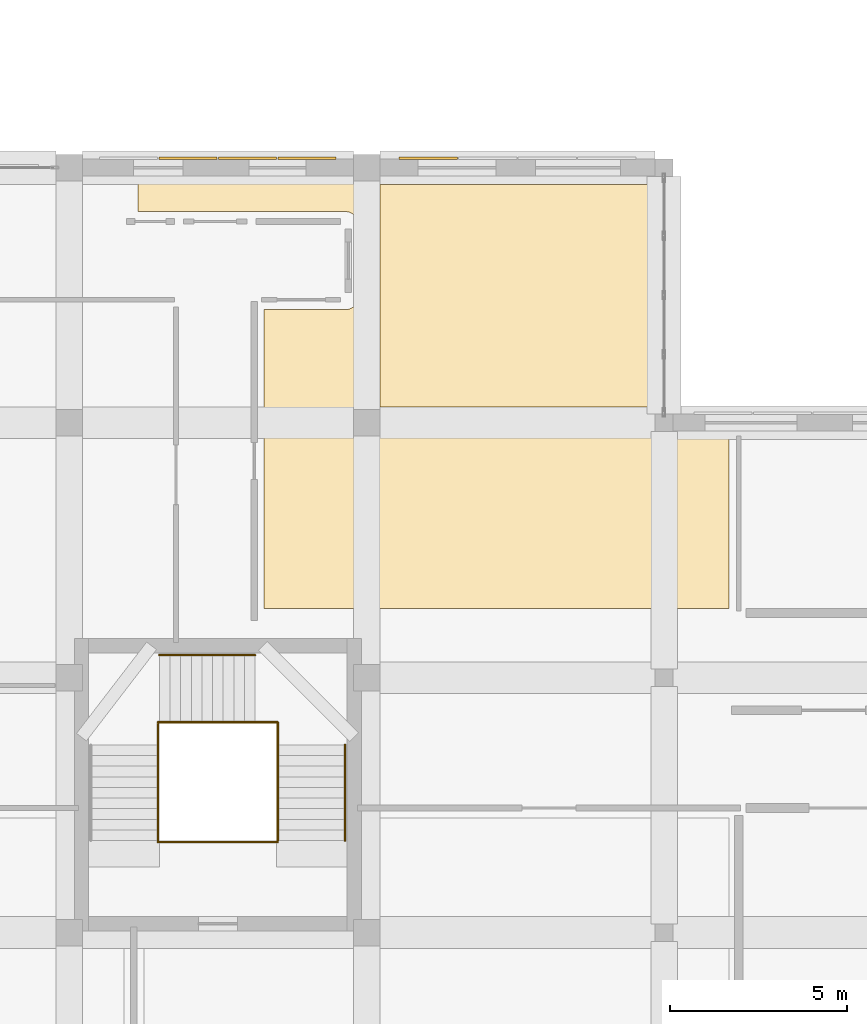
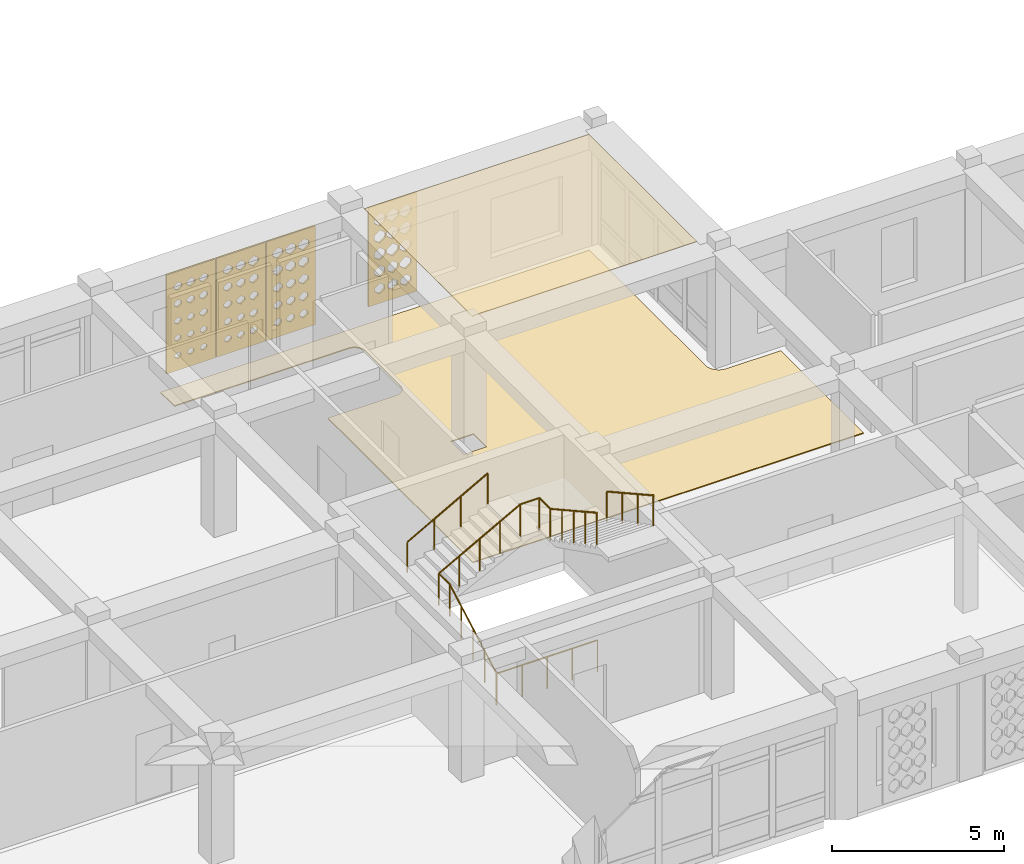
# One storey, part 117 of 121: 6 coverings, 6 railings.
"""IFC4 building model written with IfcOpenShell, lengths in metres."""

from ifc_helpers import new_model, si_unit, derived_unit, direction, frame, origin, origin_2d, place, context, subcontext, project, spatial, polyline, circle, outline, extrude, material, layer, layer_set, type_object, element, save


model = new_model("IFC4")

# Units and contexts
model_context = context("Model", 3, precision=1e-05, world=origin(), true_north=direction((0.0, 1.0)))
body_context = subcontext(model_context, "Body", "Model", "MODEL_VIEW")
ifc_project = project(units=[si_unit("LENGTHUNIT", "METRE"), si_unit("AREAUNIT", "SQUARE_METRE"), si_unit("VOLUMEUNIT", "CUBIC_METRE"), si_unit("PLANEANGLEUNIT", "RADIAN"), si_unit("MASSUNIT", "GRAM", prefix="KILO"), derived_unit("THERMALTRANSMITTANCEUNIT", [(si_unit("POWERUNIT", "WATT"), 1), (si_unit("LENGTHUNIT", "METRE"), -2), (si_unit("THERMODYNAMICTEMPERATUREUNIT", "KELVIN"), -1)])], contexts=[model_context])

# Site, building, storey
site_placement = place(None, origin())
site = spatial("IfcSite", under=ifc_project, at=site_placement, CompositionType="ELEMENT")
building_placement = place(site_placement, origin())
building = spatial("IfcBuilding", under=site, at=building_placement, Name="Veybourne Emporium", CompositionType="ELEMENT")
storey_placement = place(building_placement, frame((0.0, 0.0, 5.39990234375)))
storey = spatial("IfcBuildingStorey", under=building, at=storey_placement, Name="L01", CompositionType="ELEMENT", Elevation=5.39990234375)

# Coverings
ifc_material_1 = material(Name="Mineral Acoustic Ceiling", Category="gypsum")
ifc_layer_1 = layer(ifc_material_1, 0.02490234375)
ifc_layer_set_1 = layer_set([ifc_layer_1], Name="Mineral Acoustic Ceiling")
covering_type_1 = type_object("IfcCoveringType", Name="Ceiling_CLG-01", PredefinedType="CEILING", material=ifc_layer_set_1)
covering_1_placement = place(storey_placement, frame((0.0, 0.0, 4.155029296875)))
element("IfcCovering", 1, at=covering_1_placement, inside=storey, type_object=covering_type_1, Name="L01 coffered acoustic ceiling 06", PredefinedType="CEILING", context=body_context, shape_type="SweptSolid", body=[
    extrude(outline(polyline([(134.77490234375, 28.360107421875), (134.77490234375, 28.326904296875), (142.326904296875, 28.326904296875), (142.326904296875, 22.048095703125), (134.77490234375, 22.048095703125), (134.77490234375, 21.97998046875), (134.77294921875, 21.97998046875), (134.77294921875, 28.360107421875), (134.77490234375, 28.360107421875)])), origin(), (0.0, 0.0, 1.0), 0.025146484375),
])
ifc_material_2 = material(Name="European Oak Parquet", Category="wood")
ifc_layer_2 = layer(ifc_material_2, 0.034912109375)
ifc_layer_set_2 = layer_set([ifc_layer_2], Name="European Oak Parquet")
covering_type_2 = type_object("IfcCoveringType", Name="Flooring_FLR-02", PredefinedType="FLOORING", material=ifc_layer_set_2)
covering_2_placement = place(storey_placement, origin())
element("IfcCovering", 2, at=covering_2_placement, inside=storey, type_object=covering_type_2, Name="L01 floor finish 06", PredefinedType="FLOORING", context=body_context, shape_type="SweptSolid", body=[
    extrude(outline(polyline([(133.800048828125, 24.7900390625), (133.809814453125, 24.790283203125), (133.825439453125, 24.791015625), (133.844970703125, 24.79296875), (133.860595703125, 24.795166015625), (133.8798828125, 24.799072265625), (133.89501953125, 24.802978515625), (133.913818359375, 24.80859375), (133.9287109375, 24.81396484375), (133.94677734375, 24.8212890625), (133.9609375, 24.828125), (133.978271484375, 24.83740234375), (133.99169921875, 24.845458984375), (134.008056640625, 24.8564453125), (134.020751953125, 24.86572265625), (134.03564453125, 24.878173828125), (134.04736328125, 24.888671875), (134.061279296875, 24.902587890625), (134.072021484375, 24.914306640625), (134.084228515625, 24.92919921875), (134.09375, 24.94189453125), (134.1044921875, 24.958251953125), (134.11279296875, 24.9716796875), (134.121826171875, 24.989013671875), (134.128662109375, 25.003173828125), (134.13623046875, 25.021484375), (134.141357421875, 25.0361328125), (134.147216796875, 25.054931640625), (134.15087890625, 25.070068359375), (134.15478515625, 25.089599609375), (134.156982421875, 25.10498046875), (134.158935546875, 25.12451171875), (134.15966796875, 25.14013671875), (134.159912109375, 25.14990234375), (134.159912109375, 27.199951171875), (134.15966796875, 27.209716796875), (134.158935546875, 27.2255859375), (134.156982421875, 27.244873046875), (134.15478515625, 27.260498046875), (134.15087890625, 27.27978515625), (134.147216796875, 27.295166015625), (134.141357421875, 27.31396484375), (134.13623046875, 27.32861328125), (134.128662109375, 27.3466796875), (134.121826171875, 27.36083984375), (134.11279296875, 27.378173828125), (134.1044921875, 27.3916015625), (134.09375, 27.408203125), (134.084228515625, 27.420654296875), (134.072021484375, 27.435791015625), (134.061279296875, 27.447265625), (134.04736328125, 27.46142578125), (134.03564453125, 27.471923828125), (134.020751953125, 27.484375), (134.008056640625, 27.49365234375), (133.99169921875, 27.504638671875), (133.978271484375, 27.5126953125), (133.9609375, 27.52197265625), (133.94677734375, 27.528564453125), (133.9287109375, 27.5361328125), (133.913818359375, 27.54150390625), (133.89501953125, 27.547119140625), (133.8798828125, 27.551025390625), (133.860595703125, 27.5546875), (133.844970703125, 27.55712890625), (133.825439453125, 27.55908203125), (133.809814453125, 27.559814453125), (133.800048828125, 27.56005859375), (127.949951171875, 27.56005859375), (127.949951171875, 28.360107421875), (142.360107421875, 28.360107421875), (142.360107421875, 21.60009765625), (142.3603515625, 21.590087890625), (142.361328125, 21.566650390625), (142.36328125, 21.547119140625), (142.36669921875, 21.52392578125), (142.37060546875, 21.504638671875), (142.376220703125, 21.481689453125), (142.382080078125, 21.462890625), (142.389892578125, 21.440673828125), (142.3974609375, 21.422607421875), (142.407470703125, 21.4013671875), (142.416748046875, 21.384033203125), (142.428955078125, 21.36376953125), (142.43994140625, 21.347412109375), (142.453857421875, 21.32861328125), (142.46630859375, 21.3134765625), (142.48193359375, 21.296142578125), (142.49609375, 21.281982421875), (142.513427734375, 21.26611328125), (142.528564453125, 21.25390625), (142.547607421875, 21.23974609375), (142.563720703125, 21.22900390625), (142.583984375, 21.216796875), (142.601318359375, 21.20751953125), (142.62255859375, 21.197509765625), (142.640625, 21.18994140625), (142.662841796875, 21.18212890625), (142.681640625, 21.17626953125), (142.70458984375, 21.170654296875), (142.723876953125, 21.166748046875), (142.7470703125, 21.163330078125), (142.7666015625, 21.161376953125), (142.7900390625, 21.16015625), (142.800048828125, 21.159912109375), (144.628662109375, 21.159912109375), (144.628662109375, 16.35009765625), (131.510009765625, 16.35009765625), (131.510009765625, 24.7900390625), (133.800048828125, 24.7900390625)]), holes=[polyline([(134.780029296875, 21.97998046875), (134.02001953125, 21.97998046875), (134.02001953125, 21.219970703125), (134.780029296875, 21.219970703125), (134.780029296875, 21.97998046875)])]), origin(), (0.0, 0.0, 1.0), 0.03515625),
])

# Railings
ifc_material_3 = material(Name="Brushed Stainless Steel", Category="steel")
railing_type_1 = type_object("IfcRailingType", Name="Guard_GR-01", PredefinedType="GUARDRAIL", material=ifc_material_3)
railing_1_placement = place(storey_placement, frame((128.510009765625, 9.800048828125, 0.0)))
element("IfcRailing", 3, at=railing_1_placement, inside=storey, type_object=railing_type_1, Name="L01 ST-06 stair guard 1", PredefinedType="GUARDRAIL", context=body_context, shape_type="SweptSolid", body=[
    extrude(circle(Radius=0.02392578125, at=origin_2d()), frame((0.0, 0.0, 1.1259765625), z_axis=(0.0, 0.87415354758, 0.485649642493), x_axis=(-1.0, 0.0, 0.0)), (0.0, 0.0, 1.0), 3.088623046875),
    extrude(circle(Radius=0.02392578125, at=origin_2d()), frame((0.0, 2.699951171875, 2.6259765625), z_axis=(0.0, 1.0, 0.0), x_axis=(-1.0, 0.0, 0.0)), (0.0, 0.0, 1.0), 0.639892578125),
    extrude(circle(Radius=0.02099609375, at=origin_2d()), origin(), (0.0, 0.0, 1.0), 1.101806640625),
    extrude(circle(Radius=0.02099609375, at=origin_2d()), frame((0.0, 0.675048828125, 0.375)), (0.0, 0.0, 1.0), 1.101806640625),
    extrude(circle(Radius=0.02099609375, at=origin_2d()), frame((0.0, 1.35009765625, 0.75)), (0.0, 0.0, 1.0), 1.101806640625),
    extrude(circle(Radius=0.02099609375, at=origin_2d()), frame((0.0, 2.02490234375, 1.125)), (0.0, 0.0, 1.0), 1.101806640625),
    extrude(circle(Radius=0.02099609375, at=origin_2d()), frame((0.0, 2.699951171875, 1.5)), (0.0, 0.0, 1.0), 1.101806640625),
    extrude(circle(Radius=0.02099609375, at=origin_2d()), frame((0.0, 3.33984375, 1.5)), (0.0, 0.0, 1.0), 1.101806640625),
])
railing_2_placement = place(storey_placement, frame((128.510009765625, 13.139892578125, 1.5)))
element("IfcRailing", 4, at=railing_2_placement, inside=storey, type_object=railing_type_1, Name="L01 ST-06 stair guard 2", PredefinedType="GUARDRAIL", context=body_context, shape_type="SweptSolid", body=[
    extrude(circle(Radius=0.02392578125, at=origin_2d()), frame((0.0, 0.0, 1.1259765625), z_axis=(0.87715976088, 0.0, 0.480198660861), x_axis=(0.0, 1.0, 0.0)), (0.0, 0.0, 1.0), 3.123779296875),
    extrude(circle(Radius=0.02392578125, at=origin_2d()), frame((2.739990234375, 0.0, 2.6259765625), z_axis=(1.0, 0.0, 0.0), x_axis=(0.0, 1.0, 0.0)), (0.0, 0.0, 1.0), 0.639892578125),
    extrude(circle(Radius=0.02099609375, at=origin_2d()), origin(), (0.0, 0.0, 1.0), 1.101806640625),
    extrude(circle(Radius=0.02099609375, at=origin_2d()), frame((0.68505859375, 0.0, 0.375)), (0.0, 0.0, 1.0), 1.101806640625),
    extrude(circle(Radius=0.02099609375, at=origin_2d()), frame((1.3701171875, 0.0, 0.75)), (0.0, 0.0, 1.0), 1.101806640625),
    extrude(circle(Radius=0.02099609375, at=origin_2d()), frame((2.054931640625, 0.0, 1.125)), (0.0, 0.0, 1.0), 1.101806640625),
    extrude(circle(Radius=0.02099609375, at=origin_2d()), frame((2.739990234375, 0.0, 1.5)), (0.0, 0.0, 1.0), 1.101806640625),
    extrude(circle(Radius=0.02099609375, at=origin_2d()), frame((3.3798828125, 0.0, 1.5)), (0.0, 0.0, 1.0), 1.101806640625),
])
railing_3_placement = place(storey_placement, frame((131.889892578125, 13.139892578125, 3.0)))
element("IfcRailing", 5, at=railing_3_placement, inside=storey, type_object=railing_type_1, Name="L01 ST-06 stair guard 3", PredefinedType="GUARDRAIL", context=body_context, shape_type="SweptSolid", body=[
    extrude(circle(Radius=0.02392578125, at=origin_2d()), frame((0.0, 0.0, 1.1259765625), z_axis=(0.0, -1.0, 0.0), x_axis=(1.0, 0.0, 0.0)), (0.0, 0.0, 1.0), 0.639892578125),
    extrude(circle(Radius=0.02392578125, at=origin_2d()), frame((0.0, -0.639892578125, 1.1259765625), z_axis=(0.0, -0.87415354758, 0.485649642493), x_axis=(1.0, 0.0, 0.0)), (0.0, 0.0, 1.0), 3.088623046875),
    extrude(circle(Radius=0.02099609375, at=origin_2d()), origin(), (0.0, 0.0, 1.0), 1.101806640625),
    extrude(circle(Radius=0.02099609375, at=origin_2d()), frame((0.0, -0.639892578125, 0.0)), (0.0, 0.0, 1.0), 1.101806640625),
    extrude(circle(Radius=0.02099609375, at=origin_2d()), frame((0.0, -1.31494140625, 0.375)), (0.0, 0.0, 1.0), 1.101806640625),
    extrude(circle(Radius=0.02099609375, at=origin_2d()), frame((0.0, -1.98974609375, 0.75)), (0.0, 0.0, 1.0), 1.101806640625),
    extrude(circle(Radius=0.02099609375, at=origin_2d()), frame((0.0, -2.664794921875, 1.125)), (0.0, 0.0, 1.0), 1.101806640625),
    extrude(circle(Radius=0.02099609375, at=origin_2d()), frame((0.0, -3.33984375, 1.5)), (0.0, 0.0, 1.0), 1.101806640625),
])
railing_4_placement = place(storey_placement, frame((128.510009765625, 9.760009765625, 0.0)))
element("IfcRailing", 6, at=railing_4_placement, inside=storey, type_object=railing_type_1, Name="L01 ST-06 stair guard 4", PredefinedType="GUARDRAIL", context=body_context, shape_type="SweptSolid", body=[
    extrude(circle(Radius=0.02392578125, at=origin_2d()), frame((0.0, 0.0, 1.1259765625), z_axis=(1.0, 0.0, 0.0), x_axis=(0.0, 1.0, 0.0)), (0.0, 0.0, 1.0), 3.3798828125),
    extrude(circle(Radius=0.02099609375, at=origin_2d()), origin(), (0.0, 0.0, 1.0), 1.101806640625),
    extrude(circle(Radius=0.02099609375, at=origin_2d()), frame((0.844970703125, 0.0, 0.0)), (0.0, 0.0, 1.0), 1.101806640625),
    extrude(circle(Radius=0.02099609375, at=origin_2d()), frame((1.68994140625, 0.0, 0.0)), (0.0, 0.0, 1.0), 1.101806640625),
    extrude(circle(Radius=0.02099609375, at=origin_2d()), frame((2.534912109375, 0.0, 0.0)), (0.0, 0.0, 1.0), 1.101806640625),
    extrude(circle(Radius=0.02099609375, at=origin_2d()), frame((3.3798828125, 0.0, 0.0)), (0.0, 0.0, 1.0), 1.101806640625),
])
railing_type_2 = type_object("IfcRailingType", Name="Handrail_HR-01", PredefinedType="HANDRAIL", material=ifc_material_3)
railing_5_placement = place(storey_placement, frame((128.550048828125, 15.0400390625, 1.650146484375)))
element("IfcRailing", 7, at=railing_5_placement, inside=storey, type_object=railing_type_2, Name="L01 ST-06 pitch handrail 2", PredefinedType="HANDRAIL", context=body_context, shape_type="SweptSolid", body=[
    extrude(circle(Radius=0.02392578125, at=origin_2d()), frame((0.0, 0.0, 0.92578125), z_axis=(0.87415354758, 0.0, 0.485649642493), x_axis=(0.0, 1.0, 0.0)), (0.0, 0.0, 1.0), 3.088623046875),
    extrude(circle(Radius=0.02099609375, at=origin_2d()), frame((0.0, 0.0, -0.14990234375)), (0.0, 0.0, 1.0), 1.0517578125),
    extrude(circle(Radius=0.02099609375, at=origin_2d()), frame((0.89990234375, 0.0, 0.35009765625)), (0.0, 0.0, 1.0), 1.0517578125),
    extrude(circle(Radius=0.02099609375, at=origin_2d()), frame((1.800048828125, 0.0, 0.85009765625)), (0.0, 0.0, 1.0), 1.0517578125),
    extrude(circle(Radius=0.02099609375, at=origin_2d()), frame((2.699951171875, 0.0, 1.35009765625)), (0.0, 0.0, 1.0), 1.0517578125),
])
railing_6_placement = place(storey_placement, frame((133.7900390625, 12.5, 3.150146484375)))
element("IfcRailing", 8, at=railing_6_placement, inside=storey, type_object=railing_type_2, Name="L01 ST-06 pitch handrail 3", PredefinedType="HANDRAIL", context=body_context, shape_type="SweptSolid", body=[
    extrude(circle(Radius=0.02392578125, at=origin_2d()), frame((0.0, 0.0, 0.92578125), z_axis=(0.0, -0.87415354758, 0.485649642493), x_axis=(1.0, 0.0, 0.0)), (0.0, 0.0, 1.0), 3.088623046875),
    extrude(circle(Radius=0.02099609375, at=origin_2d()), frame((0.0, 0.0, -0.14990234375)), (0.0, 0.0, 1.0), 1.0517578125),
    extrude(circle(Radius=0.02099609375, at=origin_2d()), frame((0.0, -0.89990234375, 0.35009765625)), (0.0, 0.0, 1.0), 1.0517578125),
    extrude(circle(Radius=0.02099609375, at=origin_2d()), frame((0.0, -1.800048828125, 0.85009765625)), (0.0, 0.0, 1.0), 1.0517578125),
    extrude(circle(Radius=0.02099609375, at=origin_2d()), frame((0.0, -2.699951171875, 1.35009765625)), (0.0, 0.0, 1.0), 1.0517578125),
])

# Coverings
ifc_material_4 = material(Name="Warm-White Perforated Aluminium Screen Alloy", Category="aluminium")
ifc_layer_3 = layer(ifc_material_4, 0.06005859375)
ifc_layer_set_3 = layer_set([ifc_layer_3], Name="Warm-White Perforated Aluminium Screen Alloy")
covering_type_3 = type_object("IfcCoveringType", Name="WaveScreen_SCR-01", PredefinedType="CLADDING", material=ifc_layer_set_3)
covering_3_placement = place(storey_placement, frame((131.0400390625, 29.09814453125, 1.815185546875), z_axis=(0.0, -1.0, 0.0), x_axis=(1.0, 0.0, 0.0)))
element("IfcCovering", 9, at=covering_3_placement, inside=storey, type_object=covering_type_3, Name="L01 wave-perforated aluminium screen SCR-01 (68.3)", PredefinedType="CLADDING", context=body_context, shape_type="SweptSolid", body=[
    extrude(outline(polyline([(-0.81982421875, -1.7548828125), (0.81982421875, -1.7548828125), (0.81982421875, 1.7548828125), (-0.81982421875, 1.7548828125), (-0.81982421875, -1.7548828125)]), holes=[polyline([(-0.433349609375, -1.104736328125), (-0.322509765625, -1.18359375), (-0.322509765625, -1.272216796875), (-0.433349609375, -1.351318359375), (-0.544189453125, -1.272216796875), (-0.544189453125, -1.18359375), (-0.433349609375, -1.104736328125)]), polyline([(-0.433349609375, -0.482177734375), (-0.3154296875, -0.56640625), (-0.3154296875, -0.66162109375), (-0.433349609375, -0.745849609375), (-0.55126953125, -0.66162109375), (-0.55126953125, -0.56640625), (-0.433349609375, -0.482177734375)]), polyline([(-0.433349609375, 0.142333984375), (-0.306884765625, 0.05126953125), (-0.306884765625, -0.05126953125), (-0.433349609375, -0.142333984375), (-0.559814453125, -0.05126953125), (-0.559814453125, 0.05126953125), (-0.433349609375, 0.142333984375)]), polyline([(-0.433349609375, 0.768310546875), (-0.297119140625, 0.66943359375), (-0.297119140625, 0.55859375), (-0.433349609375, 0.459716796875), (-0.569580078125, 0.55859375), (-0.569580078125, 0.66943359375), (-0.433349609375, 0.768310546875)]), polyline([(-0.433349609375, 1.395263671875), (-0.28662109375, 1.2880859375), (-0.28662109375, 1.167724609375), (-0.433349609375, 1.060791015625), (-0.580078125, 1.167724609375), (-0.580078125, 1.2880859375), (-0.433349609375, 1.395263671875)]), polyline([(0.0, -1.10107421875), (0.11376953125, -1.182373046875), (0.11376953125, -1.273681640625), (0.0, -1.35498046875), (-0.11376953125, -1.273681640625), (-0.11376953125, -1.182373046875), (0.0, -1.10107421875)]), polyline([(0.0, -0.4775390625), (0.12158203125, -0.56494140625), (0.12158203125, -0.6630859375), (0.0, -0.75048828125), (-0.12158203125, -0.6630859375), (-0.12158203125, -0.56494140625), (0.0, -0.4775390625)]), polyline([(0.0, 0.1474609375), (0.130615234375, 0.052978515625), (0.130615234375, -0.052978515625), (0.0, -0.1474609375), (-0.130615234375, -0.052978515625), (-0.130615234375, 0.052978515625), (0.0, 0.1474609375)]), polyline([(0.0, 0.77392578125), (0.140869140625, 0.671630859375), (0.140869140625, 0.556396484375), (0.0, 0.4541015625), (-0.140869140625, 0.556396484375), (-0.140869140625, 0.671630859375), (0.0, 0.77392578125)]), polyline([(0.0, 1.401611328125), (0.152099609375, 1.29052734375), (0.152099609375, 1.16552734375), (0.0, 1.054443359375), (-0.152099609375, 1.16552734375), (-0.152099609375, 1.29052734375), (0.0, 1.401611328125)]), polyline([(0.433349609375, -1.09716796875), (0.550537109375, -1.180908203125), (0.550537109375, -1.275146484375), (0.433349609375, -1.35888671875), (0.316162109375, -1.275146484375), (0.316162109375, -1.180908203125), (0.433349609375, -1.09716796875)]), polyline([(0.433349609375, -0.47265625), (0.558837890625, -0.56298828125), (0.558837890625, -0.664794921875), (0.433349609375, -0.75537109375), (0.307861328125, -0.664794921875), (0.307861328125, -0.56298828125), (0.433349609375, -0.47265625)]), polyline([(0.433349609375, 0.153076171875), (0.568603515625, 0.05517578125), (0.568603515625, -0.05517578125), (0.433349609375, -0.153076171875), (0.298095703125, -0.05517578125), (0.298095703125, 0.05517578125), (0.433349609375, 0.153076171875)]), polyline([(0.433349609375, 0.780029296875), (0.5791015625, 0.673828125), (0.5791015625, 0.55419921875), (0.433349609375, 0.447998046875), (0.28759765625, 0.55419921875), (0.28759765625, 0.673828125), (0.433349609375, 0.780029296875)]), polyline([(0.433349609375, 1.40771484375), (0.59033203125, 1.292724609375), (0.59033203125, 1.163330078125), (0.433349609375, 1.048095703125), (0.276123046875, 1.163330078125), (0.276123046875, 1.292724609375), (0.433349609375, 1.40771484375)])]), origin(), (0.0, 0.0, 1.0), 0.06005859375),
])
ifc_layer_4 = layer(ifc_material_4, 0.06005859375)
ifc_layer_set_4 = layer_set([ifc_layer_4], Name="Warm-White Perforated Aluminium Screen Alloy")
covering_type_4 = type_object("IfcCoveringType", Name="WaveScreen_SCR-02", PredefinedType="CLADDING", material=ifc_layer_set_4)
covering_4_placement = place(storey_placement, frame((132.719970703125, 29.09814453125, 1.815185546875), z_axis=(0.0, -1.0, 0.0), x_axis=(1.0, 0.0, 0.0)))
element("IfcCovering", 10, at=covering_4_placement, inside=storey, type_object=covering_type_4, Name="L01 wave-perforated aluminium screen SCR-02 (68.4)", PredefinedType="CLADDING", context=body_context, shape_type="SweptSolid", body=[
    extrude(outline(polyline([(-0.81982421875, -1.7548828125), (0.81982421875, -1.7548828125), (0.81982421875, 1.7548828125), (-0.81982421875, 1.7548828125), (-0.81982421875, -1.7548828125)]), holes=[polyline([(-0.433349609375, -1.08837890625), (-0.30908203125, -1.177734375), (-0.30908203125, -1.2783203125), (-0.433349609375, -1.36767578125), (-0.5576171875, -1.2783203125), (-0.5576171875, -1.177734375), (-0.433349609375, -1.08837890625)]), polyline([(-0.433349609375, -0.462890625), (-0.299560546875, -0.5595703125), (-0.299560546875, -0.66845703125), (-0.433349609375, -0.76513671875), (-0.567138671875, -0.66845703125), (-0.567138671875, -0.5595703125), (-0.433349609375, -0.462890625)]), polyline([(-0.433349609375, 0.1640625), (-0.2890625, 0.05908203125), (-0.2890625, -0.05908203125), (-0.433349609375, -0.1640625), (-0.57763671875, -0.05908203125), (-0.57763671875, 0.05908203125), (-0.433349609375, 0.1640625)]), polyline([(-0.433349609375, 0.791748046875), (-0.27783203125, 0.677978515625), (-0.27783203125, 0.550048828125), (-0.433349609375, 0.436279296875), (-0.5888671875, 0.550048828125), (-0.5888671875, 0.677978515625), (-0.433349609375, 0.791748046875)]), polyline([(-0.433349609375, 1.419921875), (-0.266357421875, 1.297119140625), (-0.266357421875, 1.158935546875), (-0.433349609375, 1.0361328125), (-0.600341796875, 1.158935546875), (-0.600341796875, 1.297119140625), (-0.433349609375, 1.419921875)]), polyline([(0.0, -1.083251953125), (0.12841796875, -1.17578125), (0.12841796875, -1.280029296875), (0.0, -1.372802734375), (-0.12841796875, -1.280029296875), (-0.12841796875, -1.17578125), (0.0, -1.083251953125)]), polyline([(0.0, -0.45703125), (0.138427734375, -0.5576171875), (0.138427734375, -0.67041015625), (0.0, -0.77099609375), (-0.138427734375, -0.67041015625), (-0.138427734375, -0.5576171875), (0.0, -0.45703125)]), polyline([(0.0, 0.170166015625), (0.149169921875, 0.061279296875), (0.149169921875, -0.061279296875), (0.0, -0.170166015625), (-0.149169921875, -0.061279296875), (-0.149169921875, 0.061279296875), (0.0, 0.170166015625)]), polyline([(0.0, 0.798095703125), (0.16064453125, 0.680419921875), (0.16064453125, 0.547607421875), (0.0, 0.429931640625), (-0.16064453125, 0.547607421875), (-0.16064453125, 0.680419921875), (0.0, 0.798095703125)]), polyline([(0.0, 1.42626953125), (0.172119140625, 1.29931640625), (0.172119140625, 1.156494140625), (0.0, 1.02978515625), (-0.172119140625, 1.156494140625), (-0.172119140625, 1.29931640625), (0.0, 1.42626953125)]), polyline([(0.433349609375, -1.077880859375), (0.566162109375, -1.174072265625), (0.566162109375, -1.281982421875), (0.433349609375, -1.378173828125), (0.300537109375, -1.281982421875), (0.300537109375, -1.174072265625), (0.433349609375, -1.077880859375)]), polyline([(0.433349609375, -0.451171875), (0.57666015625, -0.555419921875), (0.57666015625, -0.672607421875), (0.433349609375, -0.77685546875), (0.2900390625, -0.672607421875), (0.2900390625, -0.555419921875), (0.433349609375, -0.451171875)]), polyline([(0.433349609375, 0.176513671875), (0.587646484375, 0.0634765625), (0.587646484375, -0.0634765625), (0.433349609375, -0.176513671875), (0.279052734375, -0.0634765625), (0.279052734375, 0.0634765625), (0.433349609375, 0.176513671875)]), polyline([(0.433349609375, 0.804443359375), (0.59912109375, 0.6826171875), (0.59912109375, 0.54541015625), (0.433349609375, 0.423583984375), (0.267578125, 0.54541015625), (0.267578125, 0.6826171875), (0.433349609375, 0.804443359375)]), polyline([(0.433349609375, 1.4326171875), (0.61083984375, 1.3017578125), (0.61083984375, 1.154296875), (0.433349609375, 1.023193359375), (0.255859375, 1.154296875), (0.255859375, 1.3017578125), (0.433349609375, 1.4326171875)])]), origin(), (0.0, 0.0, 1.0), 0.06005859375),
])
covering_5_placement = place(storey_placement, frame((136.142578125, 29.09814453125, 1.815185546875), z_axis=(0.0, -1.0, 0.0), x_axis=(1.0, 0.0, 0.0)))
element("IfcCovering", 11, at=covering_5_placement, inside=storey, type_object=covering_type_4, Name="L01 wave-perforated aluminium screen SCR-02 (71.1)", PredefinedType="CLADDING", context=body_context, shape_type="SweptSolid", body=[
    extrude(outline(polyline([(-0.81982421875, -1.7548828125), (0.81982421875, -1.7548828125), (0.81982421875, 1.7548828125), (-0.81982421875, 1.7548828125), (-0.81982421875, -1.7548828125)]), holes=[polyline([(-0.433349609375, -1.0419921875), (-0.271240234375, -1.1611328125), (-0.271240234375, -1.294921875), (-0.433349609375, -1.413818359375), (-0.595458984375, -1.294921875), (-0.595458984375, -1.1611328125), (-0.433349609375, -1.0419921875)]), polyline([(-0.433349609375, -0.413818359375), (-0.259521484375, -0.5419921875), (-0.259521484375, -0.68603515625), (-0.433349609375, -0.814208984375), (-0.607177734375, -0.68603515625), (-0.607177734375, -0.5419921875), (-0.433349609375, -0.413818359375)]), polyline([(-0.433349609375, 0.214111328125), (-0.248291015625, 0.0771484375), (-0.248291015625, -0.0771484375), (-0.433349609375, -0.214111328125), (-0.618408203125, -0.0771484375), (-0.618408203125, 0.0771484375), (-0.433349609375, 0.214111328125)]), polyline([(-0.433349609375, 0.84130859375), (-0.2470703125, 0.69580078125), (-0.2470703125, 0.5322265625), (-0.433349609375, 0.38671875), (-0.61962890625, 0.5322265625), (-0.61962890625, 0.69580078125), (-0.433349609375, 0.84130859375)]), polyline([(-0.433349609375, 1.467529296875), (-0.2470703125, 1.314208984375), (-0.2470703125, 1.1416015625), (-0.433349609375, 0.98828125), (-0.61962890625, 1.1416015625), (-0.61962890625, 1.314208984375), (-0.433349609375, 1.467529296875)]), polyline([(0.0, -1.03564453125), (0.16748046875, -1.15869140625), (0.16748046875, -1.29736328125), (0.0, -1.42041015625), (-0.16748046875, -1.29736328125), (-0.16748046875, -1.15869140625), (0.0, -1.03564453125)]), polyline([(0.0, -0.407470703125), (0.178955078125, -0.539794921875), (0.178955078125, -0.688232421875), (0.0, -0.820556640625), (-0.178955078125, -0.688232421875), (-0.178955078125, -0.539794921875), (0.0, -0.407470703125)]), polyline([(0.0, 0.22021484375), (0.186279296875, 0.079345703125), (0.186279296875, -0.079345703125), (0.0, -0.22021484375), (-0.186279296875, -0.079345703125), (-0.186279296875, 0.079345703125), (0.0, 0.22021484375)]), polyline([(0.0, 0.84716796875), (0.186279296875, 0.697998046875), (0.186279296875, 0.530029296875), (0.0, 0.380859375), (-0.186279296875, 0.530029296875), (-0.186279296875, 0.697998046875), (0.0, 0.84716796875)]), polyline([(0.0, 1.472900390625), (0.186279296875, 1.316162109375), (0.186279296875, 1.139892578125), (0.0, 0.983154296875), (-0.186279296875, 1.139892578125), (-0.186279296875, 1.316162109375), (0.0, 1.472900390625)]), polyline([(0.433349609375, -1.029296875), (0.60595703125, -1.156494140625), (0.60595703125, -1.299560546875), (0.433349609375, -1.4267578125), (0.2607421875, -1.299560546875), (0.2607421875, -1.156494140625), (0.433349609375, -1.029296875)]), polyline([(0.433349609375, -0.401123046875), (0.617431640625, -0.537353515625), (0.617431640625, -0.690673828125), (0.433349609375, -0.826904296875), (0.249267578125, -0.690673828125), (0.249267578125, -0.537353515625), (0.433349609375, -0.401123046875)]), polyline([(0.433349609375, 0.226318359375), (0.61962890625, 0.081298828125), (0.61962890625, -0.081298828125), (0.433349609375, -0.226318359375), (0.2470703125, -0.081298828125), (0.2470703125, 0.081298828125), (0.433349609375, 0.226318359375)]), polyline([(0.433349609375, 0.8525390625), (0.61962890625, 0.699951171875), (0.61962890625, 0.528076171875), (0.433349609375, 0.37548828125), (0.2470703125, 0.528076171875), (0.2470703125, 0.699951171875), (0.433349609375, 0.8525390625)]), polyline([(0.433349609375, 1.4775390625), (0.61962890625, 1.31787109375), (0.61962890625, 1.13818359375), (0.433349609375, 0.978515625), (0.2470703125, 1.13818359375), (0.2470703125, 1.31787109375), (0.433349609375, 1.4775390625)])]), origin(), (0.0, 0.0, 1.0), 0.06005859375),
])
ifc_layer_5 = layer(ifc_material_4, 0.06005859375)
ifc_layer_set_5 = layer_set([ifc_layer_5], Name="Warm-White Perforated Aluminium Screen Alloy")
covering_type_5 = type_object("IfcCoveringType", Name="WaveScreen_SCR-04", PredefinedType="CLADDING", material=ifc_layer_set_5)
covering_6_placement = place(storey_placement, frame((129.360107421875, 29.09814453125, 1.815185546875), z_axis=(0.0, -1.0, 0.0), x_axis=(1.0, 0.0, 0.0)))
element("IfcCovering", 12, at=covering_6_placement, inside=storey, type_object=covering_type_5, Name="L01 wave-perforated aluminium screen SCR-04 (68.2)", PredefinedType="CLADDING", context=body_context, shape_type="SweptSolid", body=[
    extrude(outline(polyline([(-0.81982421875, -1.7548828125), (0.81982421875, -1.7548828125), (0.81982421875, 1.7548828125), (-0.81982421875, 1.7548828125), (-0.81982421875, -1.7548828125)]), holes=[polyline([(-0.433349609375, -1.114990234375), (-0.330810546875, -1.187255859375), (-0.330810546875, -1.268798828125), (-0.433349609375, -1.341064453125), (-0.535888671875, -1.268798828125), (-0.535888671875, -1.187255859375), (-0.433349609375, -1.114990234375)]), polyline([(-0.433349609375, -0.49609375), (-0.326904296875, -0.571533203125), (-0.326904296875, -0.656494140625), (-0.433349609375, -0.73193359375), (-0.539794921875, -0.656494140625), (-0.539794921875, -0.571533203125), (-0.433349609375, -0.49609375)]), polyline([(-0.433349609375, 0.125), (-0.321044921875, 0.044921875), (-0.321044921875, -0.044921875), (-0.433349609375, -0.125), (-0.545654296875, -0.044921875), (-0.545654296875, 0.044921875), (-0.433349609375, 0.125)]), polyline([(-0.433349609375, 0.748291015625), (-0.3134765625, 0.662353515625), (-0.3134765625, 0.565673828125), (-0.433349609375, 0.479736328125), (-0.552978515625, 0.565673828125), (-0.552978515625, 0.662353515625), (-0.433349609375, 0.748291015625)]), polyline([(-0.433349609375, 1.373046875), (-0.3046875, 1.2802734375), (-0.3046875, 1.17578125), (-0.433349609375, 1.0830078125), (-0.56201171875, 1.17578125), (-0.56201171875, 1.2802734375), (-0.433349609375, 1.373046875)]), polyline([(0.0, -1.113037109375), (0.10400390625, -1.1865234375), (0.10400390625, -1.269287109375), (0.0, -1.343017578125), (-0.10400390625, -1.269287109375), (-0.10400390625, -1.1865234375), (0.0, -1.113037109375)]), polyline([(0.0, -0.4931640625), (0.10888671875, -0.570556640625), (0.10888671875, -0.657470703125), (0.0, -0.73486328125), (-0.10888671875, -0.657470703125), (-0.10888671875, -0.570556640625), (0.0, -0.4931640625)]), polyline([(0.0, 0.12890625), (0.115478515625, 0.04638671875), (0.115478515625, -0.04638671875), (0.0, -0.12890625), (-0.115478515625, -0.04638671875), (-0.115478515625, 0.04638671875), (0.0, 0.12890625)]), polyline([(0.0, 0.7529296875), (0.123779296875, 0.6640625), (0.123779296875, 0.56396484375), (0.0, 0.47509765625), (-0.123779296875, 0.56396484375), (-0.123779296875, 0.6640625), (0.0, 0.7529296875)]), polyline([(0.0, 1.37841796875), (0.133056640625, 1.2822265625), (0.133056640625, 1.173828125), (0.0, 1.07763671875), (-0.133056640625, 1.173828125), (-0.133056640625, 1.2822265625), (0.0, 1.37841796875)]), polyline([(0.433349609375, -1.110595703125), (0.539306640625, -1.185791015625), (0.539306640625, -1.270263671875), (0.433349609375, -1.345458984375), (0.327392578125, -1.270263671875), (0.327392578125, -1.185791015625), (0.433349609375, -1.110595703125)]), polyline([(0.433349609375, -0.48974609375), (0.545166015625, -0.569091796875), (0.545166015625, -0.65869140625), (0.433349609375, -0.73828125), (0.321533203125, -0.65869140625), (0.321533203125, -0.569091796875), (0.433349609375, -0.48974609375)]), polyline([(0.433349609375, 0.13330078125), (0.552490234375, 0.048095703125), (0.552490234375, -0.048095703125), (0.433349609375, -0.13330078125), (0.314208984375, -0.048095703125), (0.314208984375, 0.048095703125), (0.433349609375, 0.13330078125)]), polyline([(0.433349609375, 0.758056640625), (0.56103515625, 0.665771484375), (0.56103515625, 0.562255859375), (0.433349609375, 0.469970703125), (0.305419921875, 0.562255859375), (0.305419921875, 0.665771484375), (0.433349609375, 0.758056640625)]), polyline([(0.433349609375, 1.384033203125), (0.571044921875, 1.2841796875), (0.571044921875, 1.171875), (0.433349609375, 1.072021484375), (0.295654296875, 1.171875), (0.295654296875, 1.2841796875), (0.433349609375, 1.384033203125)])]), origin(), (0.0, 0.0, 1.0), 0.06005859375),
])

save(model, "model.ifc")
